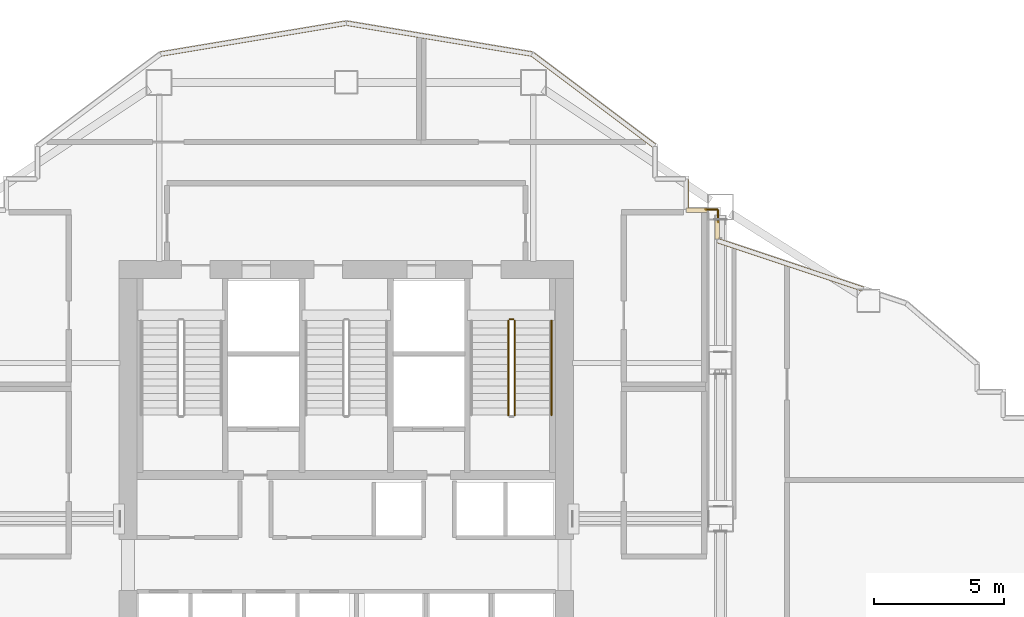
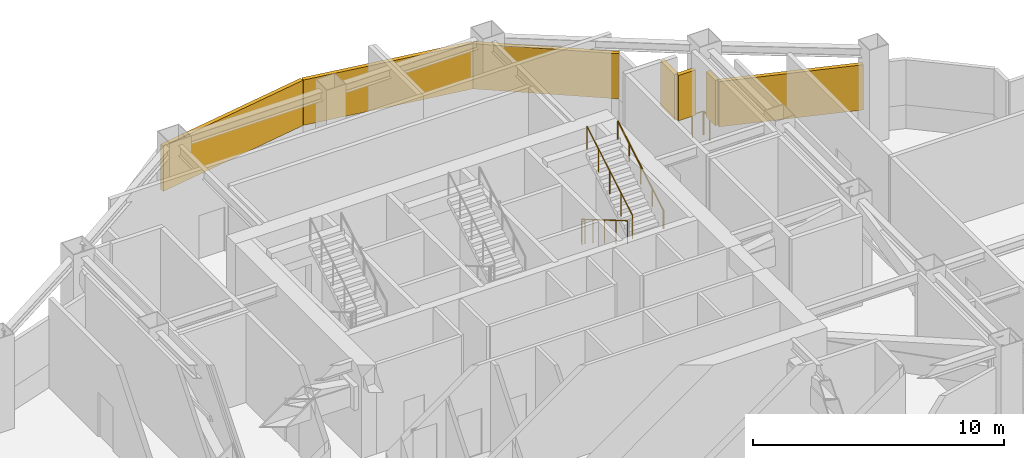
# One storey, part 23 of 24: 7 shading devices, 6 railings.
"""IFC4 building model written with IfcOpenShell, lengths in metres."""

from ifc_helpers import new_model, si_unit, direction, frame, origin, origin_2d, place, context, subcontext, project, spatial, rectangle, circle, extrude, material, type_object, element, save


model = new_model("IFC4")

# Units and contexts
model_context = context("Model", 3, precision=1e-05, world=origin(), true_north=direction((0.0, 1.0)))
body_context = subcontext(model_context, "Body", "Model", "MODEL_VIEW")
ifc_project = project(units=[si_unit("LENGTHUNIT", "METRE"), si_unit("AREAUNIT", "SQUARE_METRE"), si_unit("VOLUMEUNIT", "CUBIC_METRE"), si_unit("PLANEANGLEUNIT", "RADIAN"), si_unit("MASSUNIT", "GRAM", prefix="KILO")], contexts=[model_context])

# Site, building, storey
site_placement = place(None, origin())
site = spatial("IfcSite", under=ifc_project, at=site_placement, CompositionType="ELEMENT")
building_placement = place(site_placement, origin())
building = spatial("IfcBuilding", under=site, at=building_placement, Name="Haolan Belvedere Tower", CompositionType="ELEMENT")
storey_placement = place(building_placement, frame((0.0, 0.0, 160.0)))
storey = spatial("IfcBuildingStorey", under=building, at=storey_placement, Name="L40", CompositionType="ELEMENT", Elevation=160.0)

# Railings
ifc_material_1 = material(Name="Galvanised powder-coated steel guardrail", Category="steel")
railing_type_1 = type_object("IfcRailingType", Name="RL-REF-GRD-1150", PredefinedType="GUARDRAIL", material=ifc_material_1)
railing_1_placement = place(storey_placement, frame((52.2099609375, 45.510009765625, 0.0)))
element("IfcRailing", 1, at=railing_1_placement, inside=storey, type_object=railing_type_1, Name="L40 refuge corner safety guardrail 6A", PredefinedType="GUARDRAIL", context=body_context, shape_type="SweptSolid", body=[
    extrude(circle(Radius=0.02392578125, at=origin_2d()), frame((0.0, 0.0, 1.1259765625), z_axis=(1.0, 0.0, 0.0), x_axis=(0.0, 1.0, 0.0)), (0.0, 0.0, 1.0), 0.469970703125),
    extrude(circle(Radius=0.02099609375, at=origin_2d()), origin(), (0.0, 0.0, 1.0), 1.101806640625),
    extrude(circle(Radius=0.02099609375, at=origin_2d()), frame((0.469970703125, 0.0, 0.0)), (0.0, 0.0, 1.0), 1.101806640625),
])
railing_2_placement = place(storey_placement, frame((52.7099609375, 45.47998046875, 0.0)))
element("IfcRailing", 2, at=railing_2_placement, inside=storey, type_object=railing_type_1, Name="L40 refuge corner safety guardrail 6B", PredefinedType="GUARDRAIL", context=body_context, shape_type="SweptSolid", body=[
    extrude(circle(Radius=0.02392578125, at=origin_2d()), frame((0.0, 0.0, 1.1259765625), z_axis=(0.0, -1.0, 0.0), x_axis=(1.0, 0.0, 0.0)), (0.0, 0.0, 1.0), 0.469970703125),
    extrude(circle(Radius=0.02099609375, at=origin_2d()), origin(), (0.0, 0.0, 1.0), 1.101806640625),
    extrude(circle(Radius=0.02099609375, at=origin_2d()), frame((0.0, -0.469970703125, 0.0)), (0.0, 0.0, 1.0), 1.101806640625),
])
ifc_material_2 = material(Name="Brushed stainless steel 304", Category="steel")
railing_type_2 = type_object("IfcRailingType", Name="RL-STAIR-GRD-1150", PredefinedType="GUARDRAIL", material=ifc_material_2)
railing_3_placement = place(storey_placement, frame((44.639892578125, 41.22998046875, 0.164306640625)))
element("IfcRailing", 3, at=railing_3_placement, inside=storey, type_object=railing_type_2, Name="L40 ST2 stair guard 1", PredefinedType="GUARDRAIL", context=body_context, shape_type="SweptSolid", body=[
    extrude(circle(Radius=0.02392578125, at=origin_2d()), frame((0.0, 0.0, 1.1259765625), z_axis=(0.0, -0.862489892076, 0.506074289079), x_axis=(1.0, 0.0, 0.0)), (0.0, 0.0, 1.0), 4.22021484375),
    extrude(circle(Radius=0.02099609375, at=origin_2d()), origin(), (0.0, 0.0, 1.0), 1.101806640625),
    extrude(circle(Radius=0.02099609375, at=origin_2d()), frame((0.0, -0.909912109375, 0.533935546875)), (0.0, 0.0, 1.0), 1.101806640625),
    extrude(circle(Radius=0.02099609375, at=origin_2d()), frame((0.0, -1.81982421875, 1.06787109375)), (0.0, 0.0, 1.0), 1.101806640625),
    extrude(circle(Radius=0.02099609375, at=origin_2d()), frame((0.0, -2.72998046875, 1.601806640625)), (0.0, 0.0, 1.0), 1.101806640625),
    extrude(circle(Radius=0.02099609375, at=origin_2d()), frame((0.0, -3.639892578125, 2.1357421875)), (0.0, 0.0, 1.0), 1.101806640625),
])
railing_4_placement = place(storey_placement, frame((44.8798828125, 37.590087890625, 2.46435546875)))
element("IfcRailing", 4, at=railing_4_placement, inside=storey, type_object=railing_type_2, Name="L40 ST2 stair guard 3", PredefinedType="GUARDRAIL", context=body_context, shape_type="SweptSolid", body=[
    extrude(circle(Radius=0.02392578125, at=origin_2d()), frame((0.0, 0.0, 1.1259765625), z_axis=(0.0, 0.862489892076, 0.506074289079), x_axis=(-1.0, 0.0, 0.0)), (0.0, 0.0, 1.0), 4.22021484375),
    extrude(circle(Radius=0.02099609375, at=origin_2d()), origin(), (0.0, 0.0, 1.0), 1.101806640625),
    extrude(circle(Radius=0.02099609375, at=origin_2d()), frame((0.0, 0.909912109375, 0.533935546875)), (0.0, 0.0, 1.0), 1.101806640625),
    extrude(circle(Radius=0.02099609375, at=origin_2d()), frame((0.0, 1.81982421875, 1.06787109375)), (0.0, 0.0, 1.0), 1.101806640625),
    extrude(circle(Radius=0.02099609375, at=origin_2d()), frame((0.0, 2.72998046875, 1.601806640625)), (0.0, 0.0, 1.0), 1.101806640625),
    extrude(circle(Radius=0.02099609375, at=origin_2d()), frame((0.0, 3.639892578125, 2.1357421875)), (0.0, 0.0, 1.0), 1.101806640625),
])
railing_5_placement = place(storey_placement, frame((44.68994140625, 41.280029296875, 0.0)))
element("IfcRailing", 5, at=railing_5_placement, inside=storey, type_object=railing_type_2, Name="L40 ST2 stair guard 4", PredefinedType="GUARDRAIL", context=body_context, shape_type="SweptSolid", body=[
    extrude(circle(Radius=0.02392578125, at=origin_2d()), frame((0.0, 0.0, 1.1259765625), z_axis=(1.0, 0.0, 0.0), x_axis=(0.0, 1.0, 0.0)), (0.0, 0.0, 1.0), 0.14013671875),
    extrude(circle(Radius=0.02099609375, at=origin_2d()), origin(), (0.0, 0.0, 1.0), 1.101806640625),
    extrude(circle(Radius=0.02099609375, at=origin_2d()), frame((0.14013671875, 0.0, 0.0)), (0.0, 0.0, 1.0), 1.101806640625),
])
railing_type_3 = type_object("IfcRailingType", Name="RL-STAIR-HND-900", PredefinedType="HANDRAIL", material=ifc_material_2)
railing_6_placement = place(storey_placement, frame((46.300048828125, 37.590087890625, 2.46435546875)))
element("IfcRailing", 6, at=railing_6_placement, inside=storey, type_object=railing_type_3, Name="L40 ST2 stair handrail 2", PredefinedType="HANDRAIL", context=body_context, shape_type="SweptSolid", body=[
    extrude(circle(Radius=0.02392578125, at=origin_2d()), frame((0.0, 0.0, 0.8759765625), z_axis=(0.0, 0.862489892076, 0.506074289079), x_axis=(-1.0, 0.0, 0.0)), (0.0, 0.0, 1.0), 4.22021484375),
    extrude(circle(Radius=0.02099609375, at=origin_2d()), origin(), (0.0, 0.0, 1.0), 0.851806640625),
    extrude(circle(Radius=0.02099609375, at=origin_2d()), frame((0.0, 0.909912109375, 0.533935546875)), (0.0, 0.0, 1.0), 0.851806640625),
    extrude(circle(Radius=0.02099609375, at=origin_2d()), frame((0.0, 1.81982421875, 1.06787109375)), (0.0, 0.0, 1.0), 0.851806640625),
    extrude(circle(Radius=0.02099609375, at=origin_2d()), frame((0.0, 2.72998046875, 1.601806640625)), (0.0, 0.0, 1.0), 0.851806640625),
    extrude(circle(Radius=0.02099609375, at=origin_2d()), frame((0.0, 3.639892578125, 2.1357421875)), (0.0, 0.0, 1.0), 0.851806640625),
])

# Shading devices
ifc_material_3 = material(Name="Anodised champagne-silver aluminium 6063-T6", Category="aluminium")
shading_device_type = type_object("IfcShadingDeviceType", Name="SHD-LOUV-180", PredefinedType="JALOUSIE", material=ifc_material_3)
shading_device_1_placement = place(storey_placement, frame((55.4873046875, 43.377685546875, 1.14990234375), z_axis=(0.0, 0.0, 1.0), x_axis=(-0.948683015593, 0.316228613389, 0.0)))
element("IfcShadingDevice", 7, at=shading_device_1_placement, inside=storey, type_object=shading_device_type, Name="L40 refuge storm-proof louvre bank 20.2", PredefinedType="JALOUSIE", context=body_context, shape_type="SweptSolid", body=[
    extrude(rectangle(XDim=5.87841796875, YDim=0.179931640625, at=origin_2d()), origin(), (0.0, 0.0, 1.0), 2.199951171875),
])
shading_device_2_placement = place(storey_placement, frame((52.679931640625, 44.7255859375, 1.14990234375), z_axis=(0.0, 0.0, 1.0), x_axis=(0.0, 1.0, 0.0)))
element("IfcShadingDevice", 8, at=shading_device_2_placement, inside=storey, type_object=shading_device_type, Name="L40 refuge storm-proof louvre bank 21.1", PredefinedType="JALOUSIE", context=body_context, shape_type="SweptSolid", body=[
    extrude(rectangle(XDim=0.724609375, YDim=0.179931640625, at=origin_2d()), origin(), (0.0, 0.0, 1.0), 2.199951171875),
])
shading_device_3_placement = place(storey_placement, frame((51.89404296875, 45.47998046875, 1.14990234375), z_axis=(0.0, 0.0, 1.0), x_axis=(-1.0, 0.0, 0.0)))
element("IfcShadingDevice", 9, at=shading_device_3_placement, inside=storey, type_object=shading_device_type, Name="L40 refuge storm-proof louvre bank 22.1", PredefinedType="JALOUSIE", context=body_context, shape_type="SweptSolid", body=[
    extrude(rectangle(XDim=0.7880859375, YDim=0.179931640625, at=origin_2d()), origin(), (0.0, 0.0, 1.0), 2.199951171875),
])
shading_device_4_placement = place(storey_placement, frame((51.47998046875, 46.094970703125, 1.14990234375), z_axis=(0.0, 0.0, 1.0), x_axis=(0.0, 1.0, 0.0)))
element("IfcShadingDevice", 10, at=shading_device_4_placement, inside=storey, type_object=shading_device_type, Name="L40 refuge storm-proof louvre bank 23.1", PredefinedType="JALOUSIE", context=body_context, shape_type="SweptSolid", body=[
    extrude(rectangle(XDim=1.1298828125, YDim=0.179931640625, at=origin_2d()), origin(), (0.0, 0.0, 1.0), 2.199951171875),
])
shading_device_5_placement = place(storey_placement, frame((47.90966796875, 49.7177734375, 1.14990234375), z_axis=(0.0, 0.0, 1.0), x_axis=(-0.799998928149, 0.600001429133, 0.0)))
element("IfcShadingDevice", 11, at=shading_device_5_placement, inside=storey, type_object=shading_device_type, Name="L40 refuge storm-proof louvre bank 26.1", PredefinedType="JALOUSIE", context=body_context, shape_type="SweptSolid", body=[
    extrude(rectangle(XDim=5.855712890625, YDim=0.179931640625, at=origin_2d()), origin(), (0.0, 0.0, 1.0), 2.199951171875),
])
for number, where, z_axis, x_axis, name in (
    (12, (41.9755859375, 52.08251953125, 1.14990234375), (0.0, 0.0, 1.0), (-0.986394848329, 0.164393440227, 0.0), "L40 refuge storm-proof louvre bank 27.1"),
    (13, (34.82421875, 52.08251953125, 1.14990234375), (0.0, 0.0, 1.0), (-0.986394848329, -0.164393440227, 0.0), "L40 refuge storm-proof louvre bank 28.1"),
):
    element("IfcShadingDevice", number, at=place(storey_placement, frame(where, z_axis=z_axis, x_axis=x_axis)), inside=storey, type_object=shading_device_type, Name=name, PredefinedType="JALOUSIE", context=body_context, shape_type="SweptSolid", body=[
        extrude(rectangle(XDim=7.2099609375, YDim=0.179931640625, at=origin_2d()), origin(), (0.0, 0.0, 1.0), 2.199951171875),
    ])

save(model, "model.ifc")
